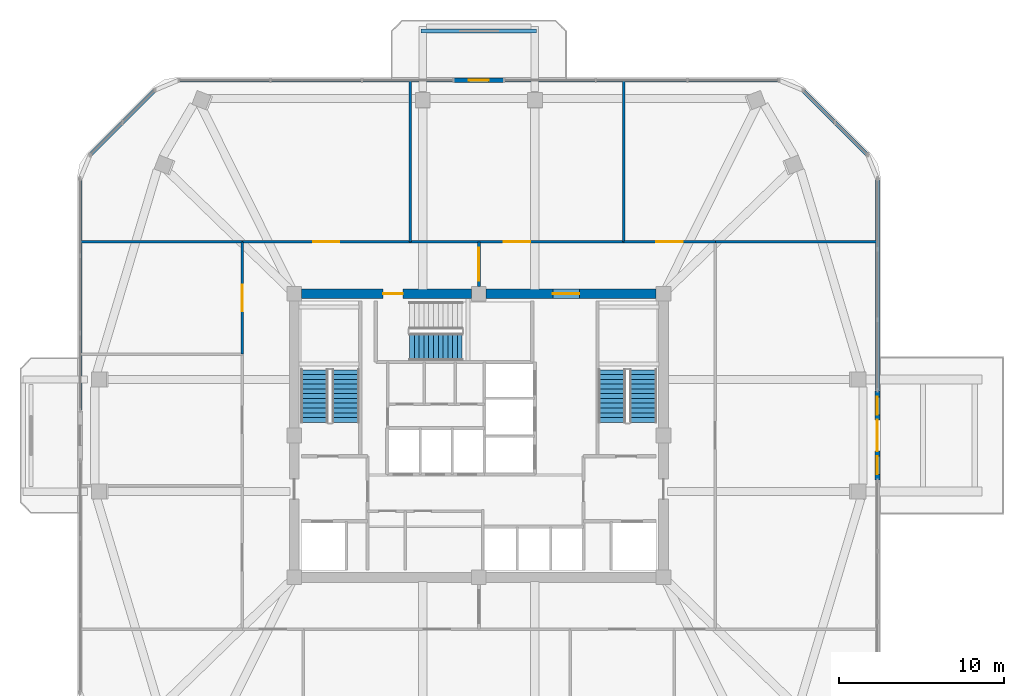
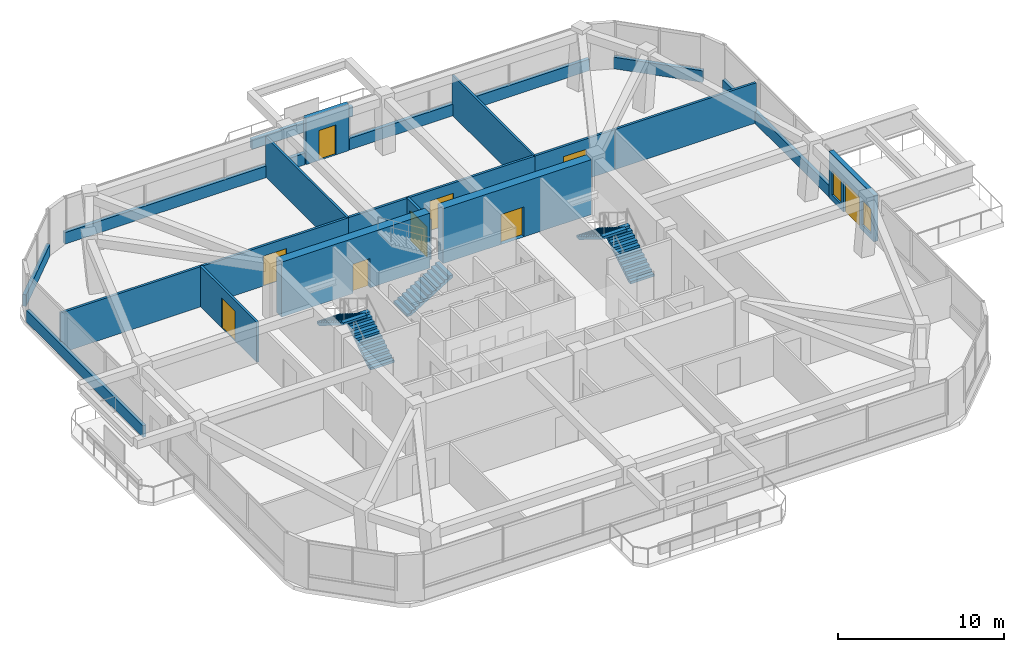
# One storey, part 9 of 13: 20 walls, 9 doors, 5 stair flights, 2 windows, 11 openings, 3 elements without a shape of their own.
"""IFC4 building model written with IfcOpenShell, lengths in metres."""

import ifcopenshell
import ifcopenshell.guid

model = None  # the IFC model being written
_history = None  # IfcOwnerHistory: only IFC2X3 demands one
_inside = {}  # id of a spatial element -> (the spatial element, [elements in it])
_under = {}  # id of a project, library or spatial element -> (it, [spatial elements below it])
_declared = {}  # id of a project -> (the project, [libraries it declares])
_typed = {}  # id of a type object -> (the type object, [elements of that type])
_made_of = {}  # id of a material, layer set ... -> (it, [elements and type objects made of it])


def new_model(schema):
    """Start an empty IFC model of exactly this schema.

    Asked for "IFC4X3", IfcOpenShell would pick the latest addendum, in which some entities
    have other attributes; the version numbers below select the first issue.
    IFC2X3 requires an IfcOwnerHistory on every rooted entity: one is made here for all.
    """
    global model, _history
    if schema == "IFC4X3":
        model = ifcopenshell.file(schema_version=(4, 3, 0, 0))
    else:
        model = ifcopenshell.file(schema=schema)
    _inside.clear()
    _under.clear()
    _declared.clear()
    _typed.clear()
    _made_of.clear()
    _history = None
    if model.schema == "IFC2X3":
        org = make("IfcOrganization", Name="unknown")
        user = make(
            "IfcPersonAndOrganization",
            ThePerson=make("IfcPerson", FamilyName="unknown"),
            TheOrganization=org,
        )
        app = make(
            "IfcApplication",
            ApplicationDeveloper=org,
            Version="unknown",
            ApplicationFullName="unknown",
            ApplicationIdentifier="unknown",
        )
        _history = make(
            "IfcOwnerHistory",
            OwningUser=user,
            OwningApplication=app,
            ChangeAction="ADDED",
            CreationDate=0,
        )
    return model


def make(cls, **values):
    """One entity of the class cls with the attributes given. An attribute that is None is left unset."""
    return model.create_entity(
        cls, **{name: value for name, value in values.items() if value is not None}
    )


def rooted(cls, **values):
    """An entity with a GlobalId (a new one), such as an element, a storey or a relation."""
    return make(cls, GlobalId=ifcopenshell.guid.new(), OwnerHistory=_history, **values)


def si_unit(unit_type, name, prefix=None):
    """IfcSIUnit, for example si_unit("LENGTHUNIT", "METRE", prefix="MILLI")."""
    return make("IfcSIUnit", UnitType=unit_type, Prefix=prefix, Name=name)


def derived_unit(unit_type, elements):
    """IfcDerivedUnit: a product of units, each with its exponent."""
    return make(
        "IfcDerivedUnit",
        Elements=[
            make("IfcDerivedUnitElement", Unit=unit, Exponent=power)
            for unit, power in elements
        ],
        UnitType=unit_type,
    )


def assignment(units):
    """IfcUnitAssignment: the units of a project."""
    return None if units is None else make("IfcUnitAssignment", Units=units)


def point(xyz):
    """IfcCartesianPoint."""
    return None if xyz is None else make("IfcCartesianPoint", Coordinates=xyz)


def direction(xyz):
    """IfcDirection."""
    return None if xyz is None else make("IfcDirection", DirectionRatios=xyz)


def frame(location, z_axis=None, x_axis=None):
    """IfcAxis2Placement3D, a coordinate frame: its origin and axes. An axis left out is left unset."""
    return make(
        "IfcAxis2Placement3D",
        Location=point(location),
        Axis=direction(z_axis),
        RefDirection=direction(x_axis),
    )


def frame_2d(location, x_axis=None):
    """IfcAxis2Placement2D, a coordinate frame in the plane: its origin and x axis."""
    return make(
        "IfcAxis2Placement2D", Location=point(location), RefDirection=direction(x_axis)
    )


def origin():
    """The frame at (0, 0, 0) with its axes left unset."""
    return frame((0.0, 0.0, 0.0))


def place(relative_to, where):
    """IfcLocalPlacement: puts the frame where relative to a parent placement (None: the world)."""
    return make(
        "IfcLocalPlacement", PlacementRelTo=relative_to, RelativePlacement=where
    )


def context(
    kind, dimensions, precision=None, world=None, true_north=None, identifier=None
):
    """IfcGeometricRepresentationContext, for example the 3D "Model" context."""
    return make(
        "IfcGeometricRepresentationContext",
        ContextIdentifier=identifier,
        ContextType=kind,
        CoordinateSpaceDimension=dimensions,
        Precision=precision,
        WorldCoordinateSystem=world,
        TrueNorth=true_north,
    )


def subcontext(parent, identifier, kind, view, scale=None):
    """IfcGeometricRepresentationSubContext, for example "Body" below "Model"."""
    return make(
        "IfcGeometricRepresentationSubContext",
        ContextIdentifier=identifier,
        ContextType=kind,
        ParentContext=parent,
        TargetScale=scale,
        TargetView=view,
    )


def project(units=None, contexts=None):
    """IfcProject with its units and contexts."""
    return rooted(
        "IfcProject",
        Name="project",
        RepresentationContexts=contexts,
        UnitsInContext=assignment(units),
    )


def spatial(cls, under=None, at=None, **own):
    """A site, building, storey or space (cls), placed at a placement, below another one or the project."""
    s = rooted(cls, ObjectPlacement=at, **own)
    if under is not None:
        _under.setdefault(under.id(), (under, []))[1].append(s)
    return s


def polyline(points):
    """IfcPolyline through the points."""
    return make("IfcPolyline", Points=[point(p) for p in points])


def profile(cls, at=None, kind="AREA", **sizes):
    """A parametric profile (cls). Its sizes go by their IFC names, for example OverallWidth=200.0."""
    return make(cls, ProfileType=kind, Position=at, **sizes)


def rectangle(**sizes):
    """IfcRectangleProfileDef."""
    return profile("IfcRectangleProfileDef", **sizes)


def outline(outer, holes=None, kind="AREA"):
    """IfcArbitraryClosedProfileDef: a profile drawn as a closed curve; with holes, ...WithVoids."""
    if holes is None:
        return make("IfcArbitraryClosedProfileDef", ProfileType=kind, OuterCurve=outer)
    return make(
        "IfcArbitraryProfileDefWithVoids",
        ProfileType=kind,
        OuterCurve=outer,
        InnerCurves=holes,
    )


def extrude(swept, where, along, depth):
    """IfcExtrudedAreaSolid: the profile swept, set in the frame where, extruded along a direction by depth."""
    return make(
        "IfcExtrudedAreaSolid",
        SweptArea=swept,
        Position=where,
        ExtrudedDirection=direction(along),
        Depth=depth,
    )


def shape(context_of_items, identifier, shape_type, items):
    """IfcShapeRepresentation: the items that make up one representation, for example the "Body"."""
    return make(
        "IfcShapeRepresentation",
        ContextOfItems=context_of_items,
        RepresentationIdentifier=identifier,
        RepresentationType=shape_type,
        Items=items,
    )


def material(Name=None, Category=None):
    """IfcMaterial."""
    return make("IfcMaterial", Name=Name, Category=Category)


def layer(
    of_material, thickness, ventilated=None, Name=None, Category=None, Priority=None
):
    """IfcMaterialLayer: one layer of a wall or slab, of a material (None: an air gap)."""
    return make(
        "IfcMaterialLayer",
        Material=of_material,
        LayerThickness=thickness,
        IsVentilated=ventilated,
        Name=Name,
        Category=Category,
        Priority=Priority,
    )


def layer_set(layers, Name=None):
    """IfcMaterialLayerSet."""
    return make("IfcMaterialLayerSet", MaterialLayers=layers, LayerSetName=Name)


def made_of(thing, what):
    """Note that an element or type object is made of a material, layer set ...; save() writes the relation."""
    if what is not None:
        _made_of.setdefault(what.id(), (what, []))[1].append(thing)
    return thing


def type_object(cls, material=None, **own):
    """A type object (cls), such as IfcWallType, which elements share."""
    return made_of(rooted(cls, **own), material)


def element(
    cls,
    number,
    at=None,
    inside=None,
    cuts=None,
    type_object=None,
    material=None,
    context=None,
    identifier="Body",
    shape_type=None,
    held_by="IfcProductDefinitionShape",
    body=None,
    shapes=None,
    **own,
):
    """One element of the class cls, such as IfcWall. Its Tag is "e" and its number.

    at: its placement. inside: the storey or other place that contains it. cuts: it is an
    opening in that element (IfcRelVoidsElement). A single representation is given by context,
    identifier, shape_type and body (its items); several are given by shapes. held_by: the class
    of the entity that holds the representations. save() writes the other relations.
    """
    e = rooted(cls, Tag="e%d" % number, ObjectPlacement=at, **own)
    if body is not None:
        shapes = [shape(context, identifier, shape_type, body)]
    if shapes is not None:
        e.Representation = make(held_by, Representations=shapes)
    if inside is not None:
        _inside.setdefault(inside.id(), (inside, []))[1].append(e)
    if cuts is not None:
        rooted(
            "IfcRelVoidsElement", RelatingBuildingElement=cuts, RelatedOpeningElement=e
        )
    if type_object is not None:
        _typed.setdefault(type_object.id(), (type_object, []))[1].append(e)
    return made_of(e, material)


def fill(opening, filler):
    """IfcRelFillsElement: the door or window that sits in an opening."""
    return rooted(
        "IfcRelFillsElement",
        RelatingOpeningElement=opening,
        RelatedBuildingElement=filler,
    )


def aggregate(whole, parts):
    """IfcRelAggregates: a whole, such as a stair, and the parts it consists of."""
    return rooted("IfcRelAggregates", RelatingObject=whole, RelatedObjects=parts)


def save(model, path):
    """Write the relations noted so far, then the file.

    IfcRelAggregates (storeys below a building ...), IfcRelContainedInSpatialStructure (elements
    in a storey), IfcRelDefinesByType, IfcRelAssociatesMaterial and IfcRelDeclares: one each for
    every whole, place, type object, material and project.
    """
    for whole, parts in _under.values():
        aggregate(whole, parts)
    for where, things in _inside.values():
        rooted(
            "IfcRelContainedInSpatialStructure",
            RelatedElements=things,
            RelatingStructure=where,
        )
    for kind, things in _typed.values():
        rooted("IfcRelDefinesByType", RelatedObjects=things, RelatingType=kind)
    for what, things in _made_of.values():
        rooted("IfcRelAssociatesMaterial", RelatedObjects=things, RelatingMaterial=what)
    for by, libraries in _declared.values():
        rooted("IfcRelDeclares", RelatingContext=by, RelatedDefinitions=libraries)
    model.write(path)


model = new_model("IFC4")

# Units and contexts
model_context = context("Model", 3, precision=1e-05, world=origin(), true_north=direction((0.0, 1.0)))
body_context = subcontext(model_context, "Body", "Model", "MODEL_VIEW")
ifc_project = project(units=[si_unit("LENGTHUNIT", "METRE"), si_unit("AREAUNIT", "SQUARE_METRE"), si_unit("VOLUMEUNIT", "CUBIC_METRE"), si_unit("PLANEANGLEUNIT", "RADIAN"), si_unit("MASSUNIT", "GRAM", prefix="KILO"), derived_unit("THERMALTRANSMITTANCEUNIT", [(si_unit("POWERUNIT", "WATT"), 1), (si_unit("LENGTHUNIT", "METRE"), -2), (si_unit("THERMODYNAMICTEMPERATUREUNIT", "KELVIN"), -1)])], contexts=[model_context])

# Site, building, storey
site_placement = place(None, origin())
site = spatial("IfcSite", under=ifc_project, at=site_placement, CompositionType="ELEMENT")
building_placement = place(site_placement, origin())
building = spatial("IfcBuilding", under=site, at=building_placement, Name="Koralith Skygarden Medical Center", CompositionType="ELEMENT")
storey_placement = place(building_placement, frame((0.0, 0.0, 188.4599609375)))
storey = spatial("IfcBuildingStorey", under=building, at=storey_placement, Name="L48", CompositionType="ELEMENT", Elevation=188.4599609375)

# Walls
ifc_material_1 = material(Name="Gypsum Board Partition")
ifc_layer_1 = layer(ifc_material_1, 0.14990234375)
ifc_layer_set_1 = layer_set([ifc_layer_1], Name="Gypsum Board Partition")
wall_type_1 = type_object("IfcWallType", Name="Clinical Acoustic Partition 150", PredefinedType="PARTITIONING", material=ifc_layer_set_1)
for number, where, z_axis, x_axis, name in (
    (1, (32.8349609375, 37.64990234375, 0.0), (0.0, 0.0, 1.0), (0.0, 1.0, 0.0), "L48 Clinical Acoustic Partition 150 W-AMPART-L48-N-1"),
    (2, (45.7939453125, 37.64990234375, 0.0), (0.0, 0.0, 1.0), (0.0, 1.0, 0.0), "L48 Clinical Acoustic Partition 150 W-AMPART-L48-N-2"),
):
    element("IfcWall", number, at=place(storey_placement, frame(where, z_axis=z_axis, x_axis=x_axis)), inside=storey, type_object=wall_type_1, Name=name, PredefinedType="PARTITIONING", context=body_context, shape_type="SweptSolid", body=[
        extrude(rectangle(XDim=9.78515625, YDim=0.14990234375, at=frame_2d((4.892578125, 0.0))), origin(), (0.0, 0.0, 1.0), 2.949951171875),
    ])
ifc_layer_2 = layer(ifc_material_1, 0.1650390625)
ifc_layer_set_2 = layer_set([ifc_layer_2], Name="Gypsum Board Partition")
wall_type_2 = type_object("IfcWallType", Name="Clinical Corridor Partition 165", PredefinedType="PARTITIONING", material=ifc_layer_set_2)
for number, where, z_axis, x_axis, name in (
    (3, (12.840087890625, 37.64990234375, 0.0), (0.0, 0.0, 1.0), (1.0, 0.0, 0.0), "L48 Clinical Corridor Partition 165 W-WB-L48-NW"),
    (4, (51.35009765625, 37.64990234375, 0.0), (0.0, 0.0, 1.0), (1.0, 0.0, 0.0), "L48 Clinical Corridor Partition 165 W-WB-L48-NE"),
):
    element("IfcWall", number, at=place(storey_placement, frame(where, z_axis=z_axis, x_axis=x_axis)), inside=storey, type_object=wall_type_2, Name=name, PredefinedType="PARTITIONING", context=body_context, shape_type="SweptSolid", body=[
        extrude(rectangle(XDim=9.809814453125, YDim=0.1650390625, at=frame_2d((4.90478515625, 0.0))), origin(), (0.0, 0.0, 1.0), 2.949951171875),
    ])

# Wall, opening, door
wall_1_placement = place(storey_placement, frame((22.64990234375, 37.64990234375, 0.0), z_axis=(0.0, 0.0, 1.0), x_axis=(1.0, 0.0, 0.0)))
wall_1 = element("IfcWall", 5, at=wall_1_placement, inside=storey, type_object=wall_type_2, Name="L48 Clinical Corridor Partition 165 W-AMCOR-L48-N-1", PredefinedType="PARTITIONING", context=body_context, shape_type="SweptSolid", body=[
    extrude(rectangle(XDim=10.18505859375, YDim=0.1650390625, at=frame_2d((5.092529296875, 0.0))), origin(), (0.0, 0.0, 1.0), 2.949951171875),
])
opening_1_placement = place(wall_1_placement, frame((4.29296875, 0.0, 0.0)))
opening_1 = element("IfcOpeningElement", 6, at=opening_1_placement, cuts=wall_1, Name="Opening D-DBL", PredefinedType="OPENING", context=body_context, shape_type="SweptSolid", body=[
    extrude(rectangle(XDim=1.60009765625, YDim=2.199951171875, at=frame_2d((0.800048828125, 1.10009765625))), frame((0.0, 0.092529296875, 0.0), z_axis=(0.0, -1.0, 0.0), x_axis=(1.0, 0.0, 0.0)), (0.0, 0.0, 1.0), 0.18505859375),
])
ifc_material_2 = material(Name="Aluminium 6063-T6", Category="aluminium")
door_type_1 = type_object("IfcDoorType", Name="Double Clinical Suite Door D-DBL 1600", OperationType="NOTDEFINED", PredefinedType="DOOR", material=ifc_material_2)
door_1_placement = place(opening_1_placement, origin())
door_1 = element("IfcDoor", 7, at=door_1_placement, inside=storey, type_object=door_type_1, Name="L48 Physical and Occupational Therapy Gymnasium Door", OperationType="DOUBLE_DOOR_SINGLE_SWING", OverallHeight=2.199951171875, OverallWidth=1.60009765625, PredefinedType="DOOR", context=body_context, shape_type="SweptSolid", body=[
    extrude(rectangle(XDim=1.60009765625, YDim=2.199951171875, at=frame_2d((0.800048828125, 1.10009765625))), frame((0.0, 0.02490234375, 0.0), z_axis=(0.0, -1.0, 0.0), x_axis=(1.0, 0.0, 0.0)), (0.0, 0.0, 1.0), 0.050048828125),
])
fill(opening_1, door_1)

wall_2_placement = place(storey_placement, frame((32.8349609375, 37.64990234375, 0.0), z_axis=(0.0, 0.0, 1.0), x_axis=(1.0, 0.0, 0.0)))
wall_2 = element("IfcWall", 8, at=wall_2_placement, inside=storey, type_object=wall_type_2, Name="L48 Clinical Corridor Partition 165 W-AMCOR-L48-N-2", PredefinedType="PARTITIONING", context=body_context, shape_type="SweptSolid", body=[
    extrude(rectangle(XDim=12.958984375, YDim=0.1650390625, at=frame_2d((6.4794921875, 0.0))), origin(), (0.0, 0.0, 1.0), 2.949951171875),
])
opening_2_placement = place(wall_2_placement, frame((5.678955078125, 0.0, 0.0)))
opening_2 = element("IfcOpeningElement", 9, at=opening_2_placement, cuts=wall_2, Name="Opening D-DBL", PredefinedType="OPENING", context=body_context, shape_type="SweptSolid", body=[
    extrude(rectangle(XDim=1.60009765625, YDim=2.199951171875, at=frame_2d((0.800048828125, 1.10009765625))), frame((0.0, 0.092529296875, 0.0), z_axis=(0.0, -1.0, 0.0), x_axis=(1.0, 0.0, 0.0)), (0.0, 0.0, 1.0), 0.18505859375),
])
door_2_placement = place(opening_2_placement, origin())
door_2 = element("IfcDoor", 10, at=door_2_placement, inside=storey, type_object=door_type_1, Name="L48 Rehabilitation Sky-Garden Day Lounge North Door", OperationType="DOUBLE_DOOR_SINGLE_SWING", OverallHeight=2.199951171875, OverallWidth=1.60009765625, PredefinedType="DOOR", context=body_context, shape_type="SweptSolid", body=[
    extrude(rectangle(XDim=1.60009765625, YDim=2.199951171875, at=frame_2d((0.800048828125, 1.10009765625))), frame((0.0, 0.02490234375, 0.0), z_axis=(0.0, -1.0, 0.0), x_axis=(1.0, 0.0, 0.0)), (0.0, 0.0, 1.0), 0.050048828125),
])
fill(opening_2, door_2)

wall_3_placement = place(storey_placement, frame((45.7939453125, 37.64990234375, 0.0), z_axis=(0.0, 0.0, 1.0), x_axis=(1.0, 0.0, 0.0)))
wall_3 = element("IfcWall", 11, at=wall_3_placement, inside=storey, type_object=wall_type_2, Name="L48 Clinical Corridor Partition 165 W-AMCOR-L48-N-3", PredefinedType="PARTITIONING", context=body_context, shape_type="SweptSolid", body=[
    extrude(rectangle(XDim=5.55615234375, YDim=0.1650390625, at=frame_2d((2.778076171875, 0.0))), origin(), (0.0, 0.0, 1.0), 2.949951171875),
])
opening_3_placement = place(wall_3_placement, frame((1.97802734375, 0.0, 0.0)))
opening_3 = element("IfcOpeningElement", 12, at=opening_3_placement, cuts=wall_3, Name="Opening D-DBL", PredefinedType="OPENING", context=body_context, shape_type="SweptSolid", body=[
    extrude(rectangle(XDim=1.60009765625, YDim=2.199951171875, at=frame_2d((0.800048828125, 1.10009765625))), frame((0.0, 0.092529296875, 0.0), z_axis=(0.0, -1.0, 0.0), x_axis=(1.0, 0.0, 0.0)), (0.0, 0.0, 1.0), 0.18505859375),
])
door_3_placement = place(opening_3_placement, origin())
door_3 = element("IfcDoor", 13, at=door_3_placement, inside=storey, type_object=door_type_1, Name="L48 Hydrotherapy Changing and Accessible Shower Block Door", OperationType="DOUBLE_DOOR_SINGLE_SWING", OverallHeight=2.199951171875, OverallWidth=1.60009765625, PredefinedType="DOOR", context=body_context, shape_type="SweptSolid", body=[
    extrude(rectangle(XDim=1.60009765625, YDim=2.199951171875, at=frame_2d((0.800048828125, 1.10009765625))), frame((0.0, 0.02490234375, 0.0), z_axis=(0.0, -1.0, 0.0), x_axis=(1.0, 0.0, 0.0)), (0.0, 0.0, 1.0), 0.050048828125),
])
fill(opening_3, door_3)

wall_4_placement = place(storey_placement, frame((22.64990234375, 30.8349609375, 0.0), z_axis=(0.0, 0.0, 1.0), x_axis=(0.0, 1.0, 0.0)))
wall_4 = element("IfcWall", 14, at=wall_4_placement, inside=storey, type_object=wall_type_2, Name="L48 Clinical Corridor Partition 165 W-AMCOR-L48-W-3", PredefinedType="PARTITIONING", context=body_context, shape_type="SweptSolid", body=[
    extrude(rectangle(XDim=6.81494140625, YDim=0.1650390625, at=frame_2d((3.407470703125, 0.0))), origin(), (0.0, 0.0, 1.0), 2.949951171875),
])
opening_4_placement = place(wall_4_placement, frame((2.60693359375, 0.0, 0.0)))
opening_4 = element("IfcOpeningElement", 15, at=opening_4_placement, cuts=wall_4, Name="Opening D-DBL", PredefinedType="OPENING", context=body_context, shape_type="SweptSolid", body=[
    extrude(rectangle(XDim=1.60009765625, YDim=2.199951171875, at=frame_2d((0.800048828125, 1.10009765625))), frame((0.0, 0.092529296875, 0.0), z_axis=(0.0, -1.0, 0.0), x_axis=(1.0, 0.0, 0.0)), (0.0, 0.0, 1.0), 0.18505859375),
])
door_4_placement = place(opening_4_placement, frame((1.60009765625, 0.0, 0.0), z_axis=(0.0, 0.0, 1.0), x_axis=(-1.0, 0.0, 0.0)))
door_4 = element("IfcDoor", 16, at=door_4_placement, inside=storey, type_object=door_type_1, Name="L48 Occupational ADL Training Kitchen Door", OperationType="DOUBLE_DOOR_SINGLE_SWING", OverallHeight=2.199951171875, OverallWidth=1.60009765625, PredefinedType="DOOR", context=body_context, shape_type="SweptSolid", body=[
    extrude(rectangle(XDim=1.60009765625, YDim=2.199951171875, at=frame_2d((0.800048828125, 1.10009765625))), frame((0.0, 0.02490234375, 0.0), z_axis=(0.0, -1.0, 0.0), x_axis=(1.0, 0.0, 0.0)), (0.0, 0.0, 1.0), 0.050048828125),
])
fill(opening_4, door_4)

ifc_layer_3 = layer(ifc_material_1, 0.179931640625)
ifc_layer_set_3 = layer_set([ifc_layer_3], Name="Gypsum Board Partition")
wall_type_3 = type_object("IfcWallType", Name="Group I-2 Smoke Barrier Wall 180", PredefinedType="PARTITIONING", material=ifc_layer_set_3)
wall_5_placement = place(storey_placement, frame((37.0, 34.949951171875, 0.0), z_axis=(0.0, 0.0, 1.0), x_axis=(0.0, 1.0, 0.0)))
wall_5 = element("IfcWall", 17, at=wall_5_placement, inside=storey, type_object=wall_type_3, Name="L48 Group I-2 Smoke Barrier Wall 180 W-SMK-L48-N", PredefinedType="PARTITIONING", context=body_context, shape_type="SweptSolid", body=[
    extrude(rectangle(XDim=2.699951171875, YDim=0.179931640625, at=frame_2d((1.35009765625, 0.0))), origin(), (0.0, 0.0, 1.0), 2.949951171875),
])
opening_5_placement = place(wall_5_placement, frame((0.35009765625, 0.0, 0.0)))
opening_5 = element("IfcOpeningElement", 18, at=opening_5_placement, cuts=wall_5, Name="Opening D-SMK", PredefinedType="OPENING", context=body_context, shape_type="SweptSolid", body=[
    extrude(rectangle(XDim=2.0, YDim=2.199951171875, at=frame_2d((1.0, 1.10009765625))), frame((0.0, 0.099853515625, 0.0), z_axis=(0.0, -1.0, 0.0), x_axis=(1.0, 0.0, 0.0)), (0.0, 0.0, 1.0), 0.199951171875),
])
ifc_material_3 = material(Name="Steel ASTM A500 Grade C", Category="steel")
door_type_2 = type_object("IfcDoorType", Name="Cross-Corridor Double Smoke Door FD60S 2000", OperationType="NOTDEFINED", PredefinedType="DOOR", material=ifc_material_3)
door_5_placement = place(opening_5_placement, origin())
door_5 = element("IfcDoor", 19, at=door_5_placement, inside=storey, type_object=door_type_2, Name="L48 N Smoke Compartment Cross-Corridor Door", OperationType="DOUBLE_DOOR_SINGLE_SWING", OverallHeight=2.199951171875, OverallWidth=2.0, PredefinedType="DOOR", context=body_context, shape_type="SweptSolid", body=[
    extrude(rectangle(XDim=2.0, YDim=2.199951171875, at=frame_2d((1.0, 1.10009765625))), frame((0.0, 0.02490234375, 0.0), z_axis=(0.0, -1.0, 0.0), x_axis=(1.0, 0.0, 0.0)), (0.0, 0.0, 1.0), 0.050048828125),
])
fill(opening_5, door_5)

# Walls
ifc_material_4 = material(Name="Warm Oolitic Limestone Cladding", Category="masonry")
ifc_layer_4 = layer(ifc_material_4, 0.239990234375)
ifc_layer_set_4 = layer_set([ifc_layer_4], Name="Warm Oolitic Limestone Cladding")
wall_type_4 = type_object("IfcWallType", Name="Limestone Spandrel Sill Backup Wall 240", PredefinedType="SOLIDWALL", material=ifc_layer_set_4)
wall_6_placement = place(storey_placement, frame((61.179931640625, 28.639892578125, 0.0), z_axis=(0.0, 0.0, 1.0), x_axis=(0.0, 1.0, 0.0)))
element("IfcWall", 20, at=wall_6_placement, inside=storey, type_object=wall_type_4, Name="L48 Sill Spandrel E-R", PredefinedType="SOLIDWALL", context=body_context, shape_type="SweptSolid", body=[
    extrude(rectangle(XDim=12.840087890625, YDim=0.239990234375, at=frame_2d((6.419921875, 0.0))), origin(), (0.0, 0.0, 1.0), 0.85009765625),
])
wall_7_placement = place(storey_placement, frame((60.5791015625, 42.930908203125, 0.0), z_axis=(0.0, 0.0, 1.0), x_axis=(-0.707106781187, 0.707106781187, 0.0)))
element("IfcWall", 21, at=wall_7_placement, inside=storey, type_object=wall_type_4, Name="L48 Sill Spandrel NE", PredefinedType="SOLIDWALL", context=body_context, shape_type="SweptSolid", body=[
    extrude(rectangle(XDim=5.548095703125, YDim=0.239990234375, at=frame_2d((2.77392578125, 0.0))), origin(), (0.0, 0.0, 1.0), 0.85009765625),
])
for number, where, z_axis, x_axis, name in (
    (22, (55.205078125, 47.4560546875, 0.0), (0.0, 0.0, 1.0), (-1.0, 0.0, 0.0), "L48 Sill Spandrel N-L"),
    (23, (35.4599609375, 47.4560546875, 0.0), (0.0, 0.0, 1.0), (-1.0, 0.0, 0.0), "L48 Sill Spandrel N-R"),
):
    element("IfcWall", number, at=place(storey_placement, frame(where, z_axis=z_axis, x_axis=x_axis)), inside=storey, type_object=wall_type_4, Name=name, PredefinedType="SOLIDWALL", context=body_context, shape_type="SweptSolid", body=[
        extrude(rectangle(XDim=16.6650390625, YDim=0.239990234375, at=frame_2d((8.33251953125, 0.0))), origin(), (0.0, 0.0, 1.0), 0.85009765625),
    ])
wall_8_placement = place(storey_placement, frame((17.343994140625, 46.85400390625, 0.0), z_axis=(0.0, 0.0, 1.0), x_axis=(-0.707106781187, -0.707106781187, 0.0)))
element("IfcWall", 24, at=wall_8_placement, inside=storey, type_object=wall_type_4, Name="L48 Sill Spandrel NW", PredefinedType="SOLIDWALL", context=body_context, shape_type="SweptSolid", body=[
    extrude(rectangle(XDim=5.548095703125, YDim=0.239990234375, at=frame_2d((2.77392578125, 0.0))), origin(), (0.0, 0.0, 1.0), 0.85009765625),
])
wall_9_placement = place(storey_placement, frame((12.820068359375, 41.47998046875, 0.0), z_axis=(0.0, 0.0, 1.0), x_axis=(0.0, -1.0, 0.0)))
element("IfcWall", 25, at=wall_9_placement, inside=storey, type_object=wall_type_4, Name="L48 Sill Spandrel W-L", PredefinedType="SOLIDWALL", context=body_context, shape_type="SweptSolid", body=[
    extrude(rectangle(XDim=14.0400390625, YDim=0.239990234375, at=frame_2d((7.02001953125, 0.0))), origin(), (0.0, 0.0, 1.0), 0.85009765625),
])

# Wall, openings, windows, door
ifc_layer_5 = layer(ifc_material_4, 0.300048828125)
ifc_layer_set_5 = layer_set([ifc_layer_5], Name="Warm Oolitic Limestone Cladding")
wall_type_5 = type_object("IfcWallType", Name="Oolitic Limestone Insulated Facade Wall 300", PredefinedType="SOLIDWALL", material=ifc_layer_set_5)
wall_10_placement = place(storey_placement, frame((61.179931640625, 23.199951171875, 0.0), z_axis=(0.0, 0.0, 1.0), x_axis=(0.0, 1.0, 0.0)))
wall_10 = element("IfcWall", 26, at=wall_10_placement, inside=storey, type_object=wall_type_5, Name="L48 Terrace Portal Wall E", PredefinedType="SOLIDWALL", context=body_context, shape_type="SweptSolid", body=[
    extrude(rectangle(XDim=5.400146484375, YDim=0.300048828125, at=frame_2d((2.7001953125, 0.0))), origin(), (0.0, 0.0, 1.0), 3.41015625),
])
opening_6_placement = place(wall_10_placement, frame((1.75, 0.0, 0.0)))
opening_6 = element("IfcOpeningElement", 27, at=opening_6_placement, cuts=wall_10, Name="Opening D-POOL", PredefinedType="OPENING", context=body_context, shape_type="SweptSolid", body=[
    extrude(rectangle(XDim=1.89990234375, YDim=2.25, at=frame_2d((0.949951171875, 1.125))), frame((0.0, 0.159912109375, 0.0), z_axis=(0.0, -1.0, 0.0), x_axis=(1.0, 0.0, 0.0)), (0.0, 0.0, 1.0), 0.320068359375),
])
opening_7_placement = place(wall_10_placement, frame((0.35009765625, 0.0, 0.39990234375)))
opening_7 = element("IfcOpeningElement", 28, at=opening_7_placement, cuts=wall_10, Name="Opening W-04", PredefinedType="OPENING", context=body_context, shape_type="SweptSolid", body=[
    extrude(rectangle(XDim=1.10009765625, YDim=1.800048828125, at=frame_2d((0.550048828125, 0.89990234375))), frame((0.0, 0.159912109375, 0.0), z_axis=(0.0, -1.0, 0.0), x_axis=(1.0, 0.0, 0.0)), (0.0, 0.0, 1.0), 0.320068359375),
])
opening_8_placement = place(wall_10_placement, frame((3.949951171875, 0.0, 0.39990234375)))
opening_8 = element("IfcOpeningElement", 29, at=opening_8_placement, cuts=wall_10, Name="Opening W-04", PredefinedType="OPENING", context=body_context, shape_type="SweptSolid", body=[
    extrude(rectangle(XDim=1.10009765625, YDim=1.800048828125, at=frame_2d((0.550048828125, 0.89990234375))), frame((0.0, 0.159912109375, 0.0), z_axis=(0.0, -1.0, 0.0), x_axis=(1.0, 0.0, 0.0)), (0.0, 0.0, 1.0), 0.320068359375),
])
ifc_material_5 = material(Name="Clear Laminated Glass", Category="glass")
window_type = type_object("IfcWindowType", Name="Sky-Garden Portal Sidelight Window W-04 1100x1800", PartitioningType="SINGLE_PANEL", PredefinedType="WINDOW", material=ifc_material_5)
window_1_placement = place(opening_7_placement, origin())
window_1 = element("IfcWindow", 30, at=window_1_placement, inside=storey, type_object=window_type, Name="L48 E Portal Sidelight 1", OverallHeight=1.800048828125, OverallWidth=1.10009765625, PartitioningType="SINGLE_PANEL", PredefinedType="WINDOW", context=body_context, shape_type="SweptSolid", body=[
    extrude(rectangle(XDim=1.10009765625, YDim=1.800048828125, at=frame_2d((0.550048828125, 0.89990234375))), frame((0.0, 0.030029296875, 0.0), z_axis=(0.0, -1.0, 0.0), x_axis=(1.0, 0.0, 0.0)), (0.0, 0.0, 1.0), 0.06005859375),
])
fill(opening_7, window_1)
window_2_placement = place(opening_8_placement, origin())
window_2 = element("IfcWindow", 31, at=window_2_placement, inside=storey, type_object=window_type, Name="L48 E Portal Sidelight 2", OverallHeight=1.800048828125, OverallWidth=1.10009765625, PartitioningType="SINGLE_PANEL", PredefinedType="WINDOW", context=body_context, shape_type="SweptSolid", body=[
    extrude(rectangle(XDim=1.10009765625, YDim=1.800048828125, at=frame_2d((0.550048828125, 0.89990234375))), frame((0.0, 0.030029296875, 0.0), z_axis=(0.0, -1.0, 0.0), x_axis=(1.0, 0.0, 0.0)), (0.0, 0.0, 1.0), 0.06005859375),
])
fill(opening_8, window_2)
door_type_3 = type_object("IfcDoorType", Name="Sky-Pool Deck Double Glazed Door D-POOL 1900", OperationType="NOTDEFINED", PredefinedType="DOOR", material=ifc_material_2)
door_6_placement = place(opening_6_placement, origin())
door_6 = element("IfcDoor", 32, at=door_6_placement, inside=storey, type_object=door_type_3, Name="L48 E Outdoor Terrace Access Door", OperationType="DOUBLE_DOOR_SINGLE_SWING", OverallHeight=2.25, OverallWidth=1.89990234375, PredefinedType="DOOR", context=body_context, shape_type="SweptSolid", body=[
    extrude(rectangle(XDim=1.89990234375, YDim=2.25, at=frame_2d((0.949951171875, 1.125))), frame((0.0, 0.02490234375, 0.0), z_axis=(0.0, -1.0, 0.0), x_axis=(1.0, 0.0, 0.0)), (0.0, 0.0, 1.0), 0.050048828125),
])
fill(opening_6, door_6)

# Wall, opening, door
wall_11_placement = place(storey_placement, frame((38.5, 47.4560546875, 0.0), z_axis=(0.0, 0.0, 1.0), x_axis=(-1.0, 0.0, 0.0)))
wall_11 = element("IfcWall", 33, at=wall_11_placement, inside=storey, type_object=wall_type_5, Name="L48 Terrace Portal Wall N", PredefinedType="SOLIDWALL", context=body_context, shape_type="SweptSolid", body=[
    extrude(rectangle(XDim=3.0, YDim=0.300048828125, at=frame_2d((1.5, 0.0))), origin(), (0.0, 0.0, 1.0), 3.41015625),
])
opening_9_placement = place(wall_11_placement, frame((0.89990234375, 0.0, 0.0)))
opening_9 = element("IfcOpeningElement", 34, at=opening_9_placement, cuts=wall_11, Name="Opening D-BAL", PredefinedType="OPENING", context=body_context, shape_type="SweptSolid", body=[
    extrude(rectangle(XDim=1.199951171875, YDim=2.199951171875, at=frame_2d((0.60009765625, 1.10009765625))), frame((0.0, 0.159912109375, 0.0), z_axis=(0.0, -1.0, 0.0), x_axis=(1.0, 0.0, 0.0)), (0.0, 0.0, 1.0), 0.320068359375),
])
door_type_4 = type_object("IfcDoorType", Name="Planted Balcony Glazed Terrace Door D-BAL 1200", OperationType="NOTDEFINED", PredefinedType="DOOR", material=ifc_material_2)
door_7_placement = place(opening_9_placement, origin())
door_7 = element("IfcDoor", 35, at=door_7_placement, inside=storey, type_object=door_type_4, Name="L48 N Outdoor Terrace Access Door", OperationType="SINGLE_SWING_LEFT", OverallHeight=2.199951171875, OverallWidth=1.199951171875, PredefinedType="DOOR", context=body_context, shape_type="SweptSolid", body=[
    extrude(rectangle(XDim=1.199951171875, YDim=2.199951171875, at=frame_2d((0.60009765625, 1.10009765625))), frame((0.0, 0.02490234375, 0.0), z_axis=(0.0, -1.0, 0.0), x_axis=(1.0, 0.0, 0.0)), (0.0, 0.0, 1.0), 0.050048828125),
])
fill(opening_9, door_7)

# Wall
ifc_material_6 = material(Name="Precast concrete C40/50", Category="concrete")
ifc_layer_6 = layer(ifc_material_6, 0.25)
ifc_layer_set_6 = layer_set([ifc_layer_6], Name="Precast concrete C40/50")
wall_type_6 = type_object("IfcWallType", Name="Structural Concrete Balcony Planter Kerb 250", PredefinedType="PARAPET", material=ifc_layer_set_6)
wall_12_placement = place(storey_placement, frame((33.5, 50.43505859375, 0.0), z_axis=(0.0, 0.0, 1.0), x_axis=(1.0, 0.0, 0.0)))
element("IfcWall", 36, at=wall_12_placement, inside=storey, type_object=wall_type_6, Name="L48 N Structural Tree PLANTER Box", PredefinedType="PARAPET", context=body_context, shape_type="SweptSolid", body=[
    extrude(rectangle(XDim=7.0, YDim=0.25, at=frame_2d((3.5, 0.0))), origin(), (0.0, 0.0, 1.0), 0.719970703125),
])

# Wall, opening, door
ifc_material_7 = material(Name="Concrete C55/67", Category="concrete")
ifc_layer_7 = layer(ifc_material_7, 0.60009765625)
ifc_layer_set_7 = layer_set([ifc_layer_7], Name="Concrete C55/67")
wall_type_7 = type_object("IfcWallType", Name="Upper Core Shear Wall 600", PredefinedType="SHEAR", material=ifc_layer_set_7)
wall_13_placement = place(storey_placement, frame((47.7548828125, 34.5, 0.0), z_axis=(0.0, 0.0, 1.0), x_axis=(-1.0, 0.0, 0.0)))
wall_13 = element("IfcWall", 37, at=wall_13_placement, inside=storey, type_object=wall_type_7, Name="L48 Core Shear Wall Segment 5", PredefinedType="SHEAR", context=body_context, shape_type="SweptSolid", body=[
    extrude(rectangle(XDim=10.309814453125, YDim=0.60009765625, at=frame_2d((5.15478515625, 0.0))), origin(), (0.0, 0.0, 1.0), 4.0400390625),
])
opening_10_placement = place(wall_13_placement, frame((4.655029296875, 0.0, 0.0)))
opening_10 = element("IfcOpeningElement", 38, at=opening_10_placement, cuts=wall_13, Name="Opening D-DBL", PredefinedType="OPENING", context=body_context, shape_type="SweptSolid", body=[
    extrude(rectangle(XDim=1.60009765625, YDim=2.199951171875, at=frame_2d((0.800048828125, 1.10009765625))), frame((0.0, 0.31005859375, 0.0), z_axis=(0.0, -1.0, 0.0), x_axis=(1.0, 0.0, 0.0)), (0.0, 0.0, 1.0), 0.6201171875),
])
door_8_placement = place(opening_10_placement, frame((1.60009765625, 0.0, 0.0), z_axis=(0.0, 0.0, 1.0), x_axis=(-1.0, 0.0, 0.0)))
door_8 = element("IfcDoor", 39, at=door_8_placement, inside=storey, type_object=door_type_1, Name="L48 North-East Corridor to Elevator Lobby Door", OperationType="DOUBLE_DOOR_SINGLE_SWING", OverallHeight=2.199951171875, OverallWidth=1.60009765625, PredefinedType="DOOR", context=body_context, shape_type="SweptSolid", body=[
    extrude(rectangle(XDim=1.60009765625, YDim=2.199951171875, at=frame_2d((0.800048828125, 1.10009765625))), frame((0.0, 0.02490234375, 0.0), z_axis=(0.0, -1.0, 0.0), x_axis=(1.0, 0.0, 0.0)), (0.0, 0.0, 1.0), 0.050048828125),
])
fill(opening_10, door_8)

wall_14_placement = place(storey_placement, frame((36.554931640625, 34.5, 0.0), z_axis=(0.0, 0.0, 1.0), x_axis=(-1.0, 0.0, 0.0)))
wall_14 = element("IfcWall", 40, at=wall_14_placement, inside=storey, type_object=wall_type_7, Name="L48 Core Shear Wall Segment 6", PredefinedType="SHEAR", context=body_context, shape_type="SweptSolid", body=[
    extrude(rectangle(XDim=10.309814453125, YDim=0.60009765625, at=frame_2d((5.15478515625, 0.0))), origin(), (0.0, 0.0, 1.0), 4.0400390625),
])
opening_11_placement = place(wall_14_placement, frame((4.155029296875, 0.0, 0.0)))
opening_11 = element("IfcOpeningElement", 41, at=opening_11_placement, cuts=wall_14, Name="Opening D-ST60", PredefinedType="OPENING", context=body_context, shape_type="SweptSolid", body=[
    extrude(rectangle(XDim=1.199951171875, YDim=2.14990234375, at=frame_2d((0.60009765625, 1.074951171875))), frame((0.0, 0.31005859375, 0.0), z_axis=(0.0, -1.0, 0.0), x_axis=(1.0, 0.0, 0.0)), (0.0, 0.0, 1.0), 0.6201171875),
])
door_type_5 = type_object("IfcDoorType", Name="Smokeproof Stair Fire Door FD60S 1200", OperationType="NOTDEFINED", PredefinedType="DOOR", material=ifc_material_3)
door_9_placement = place(opening_11_placement, frame((1.199951171875, 0.0, 0.0), z_axis=(0.0, 0.0, 1.0), x_axis=(-1.0, 0.0, 0.0)))
door_9 = element("IfcDoor", 42, at=door_9_placement, inside=storey, type_object=door_type_5, Name="L48 Exit Stair ST3 Fire Door", OperationType="SINGLE_SWING_LEFT", OverallHeight=2.14990234375, OverallWidth=1.199951171875, PredefinedType="DOOR", context=body_context, shape_type="SweptSolid", body=[
    extrude(rectangle(XDim=1.199951171875, YDim=2.14990234375, at=frame_2d((0.60009765625, 1.074951171875))), frame((0.0, 0.02490234375, 0.0), z_axis=(0.0, -1.0, 0.0), x_axis=(1.0, 0.0, 0.0)), (0.0, 0.0, 1.0), 0.050048828125),
])
fill(opening_11, door_9)

# Stair, stair flights
ifc_material_8 = material(Name="Concrete C45/55", Category="concrete")
stair_type = type_object("IfcStairType", Name="Core Exit Dogleg Concrete Stair", PredefinedType="HALF_TURN_STAIR", material=ifc_material_8)
stair_1_placement = place(storey_placement, origin())
stair_1 = element("IfcStair", 43, at=stair_1_placement, inside=storey, type_object=stair_type, Name="L48 Smokeproof Exit Stair ST1", PredefinedType="HALF_TURN_STAIR")
stair_flight_type = type_object("IfcStairFlightType", Name="Core Exit Concrete Stair Flight 1650", PredefinedType="STRAIGHT", material=ifc_material_8)
stair_flight_1_placement = place(storey_placement, frame((28.925048828125, 26.699951171875, 0.0), z_axis=(0.0, 0.0, 1.0), x_axis=(0.0, 1.0, 0.0)))
stair_flight_1 = element("IfcStairFlight", 44, at=stair_flight_1_placement, type_object=stair_flight_type, Name="ST1 flight 1", NumberOfRisers=12, NumberOfTreads=11, PredefinedType="STRAIGHT", RiserHeight=0.18, TreadLength=0.29, context=body_context, shape_type="SweptSolid", body=[
    extrude(outline(polyline([(0.0, 0.0), (0.0, 0.179931640625), (0.2900390625, 0.179931640625), (0.2900390625, 0.360107421875), (0.580078125, 0.360107421875), (0.580078125, 0.5400390625), (0.8701171875, 0.5400390625), (0.8701171875, 0.719970703125), (1.159912109375, 0.719970703125), (1.159912109375, 0.89990234375), (1.449951171875, 0.89990234375), (1.449951171875, 1.080078125), (1.739990234375, 1.080078125), (1.739990234375, 1.260009765625), (2.030029296875, 1.260009765625), (2.030029296875, 1.43994140625), (2.320068359375, 1.43994140625), (2.320068359375, 1.6201171875), (2.610107421875, 1.6201171875), (2.610107421875, 1.800048828125), (2.89990234375, 1.800048828125), (2.89990234375, 1.97998046875), (3.18994140625, 1.97998046875), (3.18994140625, 2.159912109375), (3.18994140625, 1.803466796875), (0.2841796875, 0.0), (0.0, 0.0)])), frame((0.0, 0.824951171875, 0.0), z_axis=(0.0, -1.0, 0.0), x_axis=(1.0, 0.0, 0.0)), (0.0, 0.0, 1.0), 1.64990234375),
])
stair_flight_2_placement = place(storey_placement, frame((27.02490234375, 29.889892578125, 2.16015625), z_axis=(0.0, 0.0, 1.0), x_axis=(0.0, -1.0, 0.0)))
stair_flight_2 = element("IfcStairFlight", 45, at=stair_flight_2_placement, type_object=stair_flight_type, Name="ST1 flight 2", NumberOfRisers=12, NumberOfTreads=11, PredefinedType="STRAIGHT", RiserHeight=0.18, TreadLength=0.29, context=body_context, shape_type="SweptSolid", body=[
    extrude(outline(polyline([(0.0, 0.0), (0.0, 0.179931640625), (0.2900390625, 0.179931640625), (0.2900390625, 0.360107421875), (0.580078125, 0.360107421875), (0.580078125, 0.5400390625), (0.8701171875, 0.5400390625), (0.8701171875, 0.719970703125), (1.159912109375, 0.719970703125), (1.159912109375, 0.89990234375), (1.449951171875, 0.89990234375), (1.449951171875, 1.080078125), (1.739990234375, 1.080078125), (1.739990234375, 1.260009765625), (2.030029296875, 1.260009765625), (2.030029296875, 1.43994140625), (2.320068359375, 1.43994140625), (2.320068359375, 1.6201171875), (2.610107421875, 1.6201171875), (2.610107421875, 1.800048828125), (2.89990234375, 1.800048828125), (2.89990234375, 1.97998046875), (3.18994140625, 1.97998046875), (3.18994140625, 2.159912109375), (3.18994140625, 1.803466796875), (0.2841796875, 0.0), (0.0, 0.0)])), frame((0.0, 0.824951171875, 0.0), z_axis=(0.0, -1.0, 0.0), x_axis=(1.0, 0.0, 0.0)), (0.0, 0.0, 1.0), 1.64990234375),
])
aggregate(stair_1, [stair_flight_1, stair_flight_2])

stair_2_placement = place(storey_placement, origin())
stair_2 = element("IfcStair", 46, at=stair_2_placement, inside=storey, type_object=stair_type, Name="L48 Smokeproof Exit Stair ST2", PredefinedType="HALF_TURN_STAIR")
stair_flight_3_placement = place(storey_placement, frame((46.97509765625, 26.699951171875, 0.0), z_axis=(0.0, 0.0, 1.0), x_axis=(0.0, 1.0, 0.0)))
stair_flight_3 = element("IfcStairFlight", 47, at=stair_flight_3_placement, type_object=stair_flight_type, Name="ST2 flight 1", NumberOfRisers=12, NumberOfTreads=11, PredefinedType="STRAIGHT", RiserHeight=0.18, TreadLength=0.29, context=body_context, shape_type="SweptSolid", body=[
    extrude(outline(polyline([(0.0, 0.0), (0.0, 0.179931640625), (0.2900390625, 0.179931640625), (0.2900390625, 0.360107421875), (0.580078125, 0.360107421875), (0.580078125, 0.5400390625), (0.8701171875, 0.5400390625), (0.8701171875, 0.719970703125), (1.159912109375, 0.719970703125), (1.159912109375, 0.89990234375), (1.449951171875, 0.89990234375), (1.449951171875, 1.080078125), (1.739990234375, 1.080078125), (1.739990234375, 1.260009765625), (2.030029296875, 1.260009765625), (2.030029296875, 1.43994140625), (2.320068359375, 1.43994140625), (2.320068359375, 1.6201171875), (2.610107421875, 1.6201171875), (2.610107421875, 1.800048828125), (2.89990234375, 1.800048828125), (2.89990234375, 1.97998046875), (3.18994140625, 1.97998046875), (3.18994140625, 2.159912109375), (3.18994140625, 1.803466796875), (0.2841796875, 0.0), (0.0, 0.0)])), frame((0.0, 0.824951171875, 0.0), z_axis=(0.0, -1.0, 0.0), x_axis=(1.0, 0.0, 0.0)), (0.0, 0.0, 1.0), 1.64990234375),
])
stair_flight_4_placement = place(storey_placement, frame((45.074951171875, 29.889892578125, 2.16015625), z_axis=(0.0, 0.0, 1.0), x_axis=(0.0, -1.0, 0.0)))
stair_flight_4 = element("IfcStairFlight", 48, at=stair_flight_4_placement, type_object=stair_flight_type, Name="ST2 flight 2", NumberOfRisers=12, NumberOfTreads=11, PredefinedType="STRAIGHT", RiserHeight=0.18, TreadLength=0.29, context=body_context, shape_type="SweptSolid", body=[
    extrude(outline(polyline([(0.0, 0.0), (0.0, 0.179931640625), (0.2900390625, 0.179931640625), (0.2900390625, 0.360107421875), (0.580078125, 0.360107421875), (0.580078125, 0.5400390625), (0.8701171875, 0.5400390625), (0.8701171875, 0.719970703125), (1.159912109375, 0.719970703125), (1.159912109375, 0.89990234375), (1.449951171875, 0.89990234375), (1.449951171875, 1.080078125), (1.739990234375, 1.080078125), (1.739990234375, 1.260009765625), (2.030029296875, 1.260009765625), (2.030029296875, 1.43994140625), (2.320068359375, 1.43994140625), (2.320068359375, 1.6201171875), (2.610107421875, 1.6201171875), (2.610107421875, 1.800048828125), (2.89990234375, 1.800048828125), (2.89990234375, 1.97998046875), (3.18994140625, 1.97998046875), (3.18994140625, 2.159912109375), (3.18994140625, 1.803466796875), (0.2841796875, 0.0), (0.0, 0.0)])), frame((0.0, 0.824951171875, 0.0), z_axis=(0.0, -1.0, 0.0), x_axis=(1.0, 0.0, 0.0)), (0.0, 0.0, 1.0), 1.64990234375),
])
aggregate(stair_2, [stair_flight_3, stair_flight_4])

# Stair, stair flight
stair_3_placement = place(storey_placement, origin())
stair_3 = element("IfcStair", 49, at=stair_3_placement, inside=storey, type_object=stair_type, Name="L48 Smokeproof Exit Stair ST3", PredefinedType="HALF_TURN_STAIR")
stair_flight_5_placement = place(storey_placement, frame((32.800048828125, 31.27490234375, 0.0), z_axis=(0.0, 0.0, 1.0), x_axis=(1.0, 0.0, 0.0)))
stair_flight_5 = element("IfcStairFlight", 50, at=stair_flight_5_placement, type_object=stair_flight_type, Name="ST3 flight 1", NumberOfRisers=12, NumberOfTreads=11, PredefinedType="STRAIGHT", RiserHeight=0.18, TreadLength=0.29, context=body_context, shape_type="SweptSolid", body=[
    extrude(outline(polyline([(0.0, 0.0), (0.0, 0.179931640625), (0.2900390625, 0.179931640625), (0.2900390625, 0.360107421875), (0.580078125, 0.360107421875), (0.580078125, 0.5400390625), (0.8701171875, 0.5400390625), (0.8701171875, 0.719970703125), (1.159912109375, 0.719970703125), (1.159912109375, 0.89990234375), (1.449951171875, 0.89990234375), (1.449951171875, 1.080078125), (1.739990234375, 1.080078125), (1.739990234375, 1.260009765625), (2.030029296875, 1.260009765625), (2.030029296875, 1.43994140625), (2.320068359375, 1.43994140625), (2.320068359375, 1.6201171875), (2.610107421875, 1.6201171875), (2.610107421875, 1.800048828125), (2.89990234375, 1.800048828125), (2.89990234375, 1.97998046875), (3.18994140625, 1.97998046875), (3.18994140625, 2.159912109375), (3.18994140625, 1.803466796875), (0.2841796875, 0.0), (0.0, 0.0)])), frame((0.0, 0.824951171875, 0.0), z_axis=(0.0, -1.0, 0.0), x_axis=(1.0, 0.0, 0.0)), (0.0, 0.0, 1.0), 1.64990234375),
])
aggregate(stair_3, [stair_flight_5])

save(model, "model.ifc")
